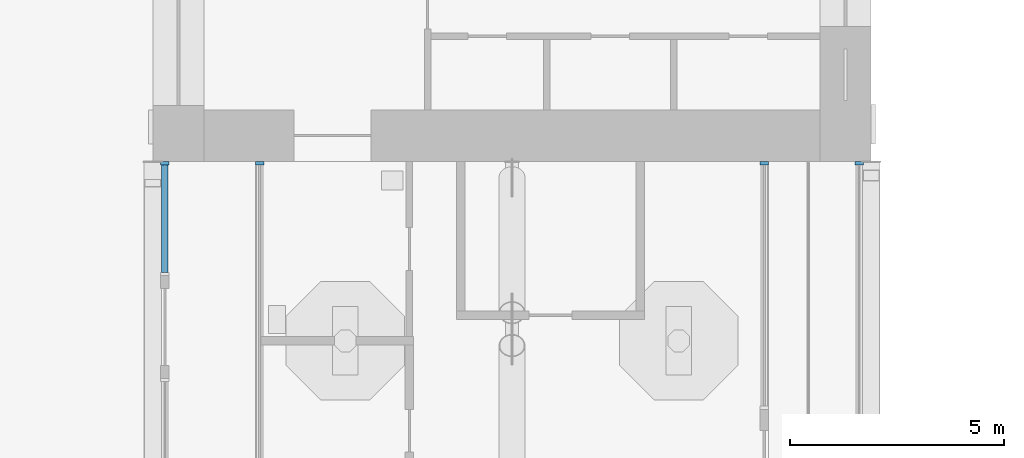
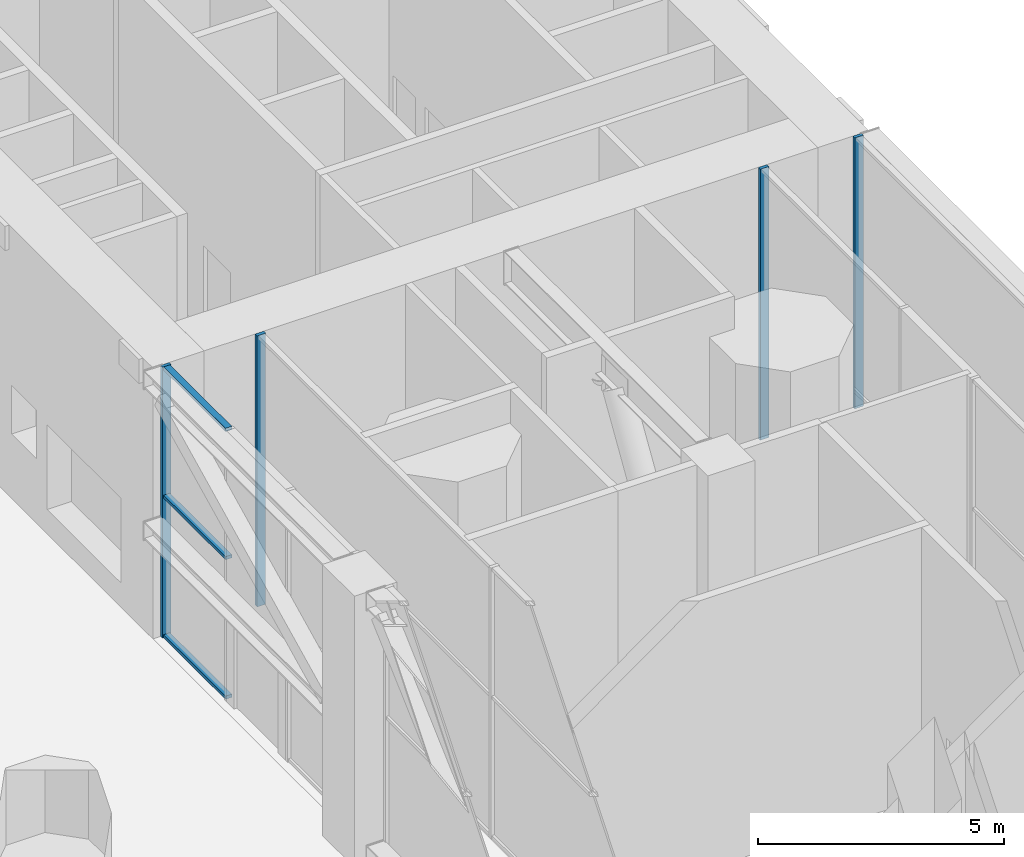
# One storey, part 5 of 22: 7 members, 4 elements without a shape of their own.
"""IFC4 building model written with IfcOpenShell, lengths in metres."""

from ifc_helpers import new_model, si_unit, direction, frame, origin, origin_2d, place, context, subcontext, project, spatial, rectangle, extrude, material, material_profile, profile_set, type_object, element, aggregate, save


model = new_model("IFC4")

# Units and contexts
model_context = context("Model", 3, precision=1e-05, world=origin(), true_north=direction((0.0, 1.0)))
body_context = subcontext(model_context, "Body", "Model", "MODEL_VIEW")
ifc_project = project(units=[si_unit("LENGTHUNIT", "METRE"), si_unit("AREAUNIT", "SQUARE_METRE"), si_unit("VOLUMEUNIT", "CUBIC_METRE"), si_unit("PLANEANGLEUNIT", "RADIAN"), si_unit("MASSUNIT", "GRAM", prefix="KILO")], contexts=[model_context])

# Site, building, storey
site_placement = place(None, origin())
site = spatial("IfcSite", under=ifc_project, at=site_placement, CompositionType="ELEMENT")
building_placement = place(site_placement, origin())
building = spatial("IfcBuilding", under=site, at=building_placement, Name="Vermilion Gate Residences", CompositionType="ELEMENT")
storey_placement = place(building_placement, frame((0.0, 0.0, 140.699951171875)))
storey = spatial("IfcBuildingStorey", under=building, at=storey_placement, Name="L36", CompositionType="ELEMENT", Elevation=140.699951171875)

# Curtain wall, member
ifc_material_1 = material(Name="Aluminium and glass", Category="aluminium")
curtain_wall_type = type_object("IfcCurtainWallType", Name="SKY GARDEN GLAZING CURTAIN WALL", PredefinedType="NOTDEFINED", material=ifc_material_1)
curtain_wall_1_placement = place(storey_placement, origin())
curtain_wall_1 = element("IfcCurtainWall", 1, at=curtain_wall_1_placement, inside=storey, type_object=curtain_wall_type, Name="Sky Garden Glazing 0", PredefinedType="NOTDEFINED")
ifc_material_2 = material(Name="Aluminium", Category="aluminium")
ifc_material_profile_1 = material_profile(ifc_material_2, rectangle(XDim=0.199951171875, YDim=0.080078125, at=origin_2d()), Name="MULLION 80 X 200")
ifc_profile_set_1 = profile_set([ifc_material_profile_1], Name="Aluminium")
member_type_1 = type_object("IfcMemberType", Name="SKY GARDEN GLAZING MULLION 80 X 200", PredefinedType="MULLION", material=ifc_profile_set_1)
member_1_placement = place(storey_placement, frame((10.89990234375, 41.9599609375, 0.0), z_axis=(0.0, 0.0, 1.0), x_axis=(1.0, 0.0, 0.0)))
member_1 = element("IfcMember", 2, at=member_1_placement, type_object=member_type_1, Name="ECW3 mullion 1", PredefinedType="MULLION", context=body_context, shape_type="SweptSolid", body=[
    extrude(rectangle(XDim=0.199951171875, YDim=0.080078125, at=origin_2d()), origin(), (0.0, 0.0, 1.0), 6.719970703125),
])
aggregate(curtain_wall_1, [member_1])

curtain_wall_2_placement = place(storey_placement, origin())
curtain_wall_2 = element("IfcCurtainWall", 3, at=curtain_wall_2_placement, inside=storey, type_object=curtain_wall_type, Name="Sky Garden Glazing 142", PredefinedType="NOTDEFINED")
member_2_placement = place(storey_placement, frame((22.699951171875, 41.9599609375, 0.0), z_axis=(0.0, 0.0, 1.0), x_axis=(-1.0, 0.0, 0.0)))
member_2 = element("IfcMember", 4, at=member_2_placement, type_object=member_type_1, Name="ECW3 mullion 2", PredefinedType="MULLION", context=body_context, shape_type="SweptSolid", body=[
    extrude(rectangle(XDim=0.199951171875, YDim=0.080078125, at=origin_2d()), origin(), (0.0, 0.0, 1.0), 6.719970703125),
])
aggregate(curtain_wall_2, [member_2])

curtain_wall_3_placement = place(storey_placement, origin())
curtain_wall_3 = element("IfcCurtainWall", 5, at=curtain_wall_3_placement, inside=storey, type_object=curtain_wall_type, Name="Sky Garden Glazing 700", PredefinedType="NOTDEFINED")
member_3_placement = place(storey_placement, frame((8.679931640625, 41.9599609375, 0.0), z_axis=(0.0, 0.0, 1.0), x_axis=(1.0, 0.0, 0.0)))
member_3 = element("IfcMember", 6, at=member_3_placement, type_object=member_type_1, Name="ECW3 mullion 1", PredefinedType="MULLION", context=body_context, shape_type="SweptSolid", body=[
    extrude(rectangle(XDim=0.199951171875, YDim=0.080078125, at=origin_2d()), origin(), (0.0, 0.0, 1.0), 6.719970703125),
])

curtain_wall_4_placement = place(storey_placement, origin())
curtain_wall_4 = element("IfcCurtainWall", 7, at=curtain_wall_4_placement, inside=storey, type_object=curtain_wall_type, Name="Sky Garden Glazing 517", PredefinedType="NOTDEFINED")
member_4_placement = place(storey_placement, frame((24.919921875, 41.9599609375, 0.0), z_axis=(0.0, 0.0, 1.0), x_axis=(-1.0, 0.0, 0.0)))
member_4 = element("IfcMember", 8, at=member_4_placement, type_object=member_type_1, Name="ECW3 mullion 2", PredefinedType="MULLION", context=body_context, shape_type="SweptSolid", body=[
    extrude(rectangle(XDim=0.199951171875, YDim=0.080078125, at=origin_2d()), origin(), (0.0, 0.0, 1.0), 6.719970703125),
])
aggregate(curtain_wall_4, [member_4])

# Member
ifc_material_3 = material(Name="Aluminium", Category="aluminium")
ifc_material_profile_2 = material_profile(ifc_material_3, rectangle(XDim=0.14990234375, YDim=0.080078125, at=origin_2d()), Name="TRANSOM 80 X 150")
ifc_profile_set_2 = profile_set([ifc_material_profile_2], Name="Aluminium")
member_type_2 = type_object("IfcMemberType", Name="SKY GARDEN GLAZING TRANSOM 80 X 150", PredefinedType="MULLION", material=ifc_profile_set_2)
member_5_placement = place(storey_placement, frame((8.679931640625, 41.919921875, 0.0400390625), z_axis=(0.0, -1.0, 0.0), x_axis=(1.0, 0.0, 0.0)))
member_5 = element("IfcMember", 9, at=member_5_placement, type_object=member_type_2, Name="ECW3 transom 1.1", PredefinedType="MULLION", context=body_context, shape_type="SweptSolid", body=[
    extrude(rectangle(XDim=0.14990234375, YDim=0.080078125, at=origin_2d()), origin(), (0.0, 0.0, 1.0), 2.514892578125),
])

member_6_placement = place(storey_placement, frame((8.679931640625, 41.919921875, 3.5), z_axis=(0.0, -1.0, 0.0), x_axis=(1.0, 0.0, 0.0)))
member_6 = element("IfcMember", 10, at=member_6_placement, type_object=member_type_2, Name="ECW3 transom 1.2", PredefinedType="MULLION", context=body_context, shape_type="SweptSolid", body=[
    extrude(rectangle(XDim=0.14990234375, YDim=0.080078125, at=origin_2d()), origin(), (0.0, 0.0, 1.0), 2.514892578125),
])

member_7_placement = place(storey_placement, frame((8.679931640625, 41.919921875, 6.679931640625), z_axis=(0.0, -1.0, 0.0), x_axis=(1.0, 0.0, 0.0)))
member_7 = element("IfcMember", 11, at=member_7_placement, type_object=member_type_2, Name="ECW3 transom 1.3", PredefinedType="MULLION", context=body_context, shape_type="SweptSolid", body=[
    extrude(rectangle(XDim=0.14990234375, YDim=0.080078125, at=origin_2d()), origin(), (0.0, 0.0, 1.0), 2.514892578125),
])

aggregate(curtain_wall_3, [member_3, member_5, member_6, member_7])

save(model, "model.ifc")
